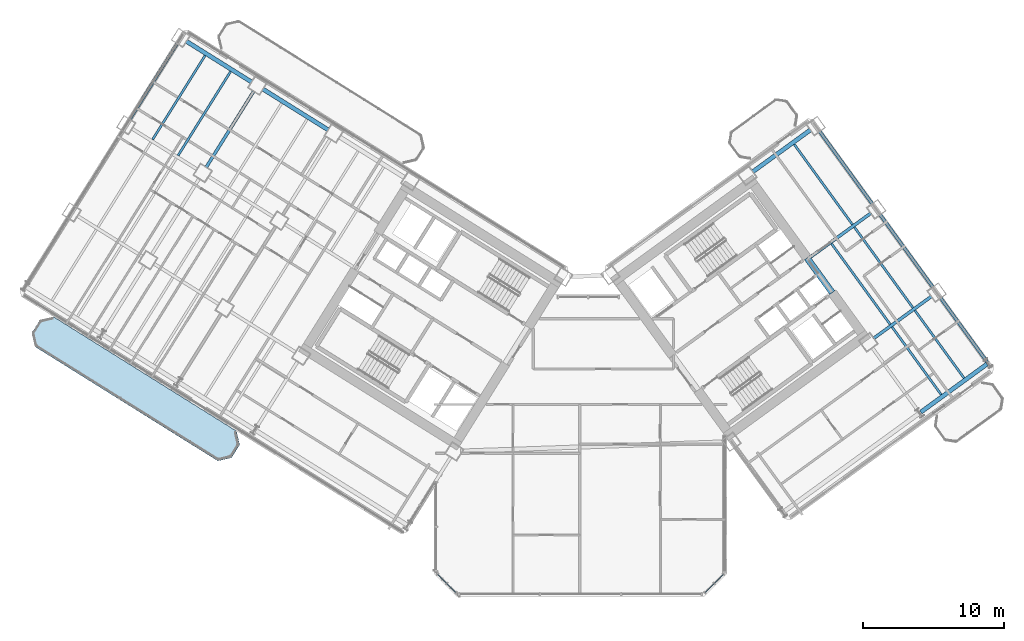
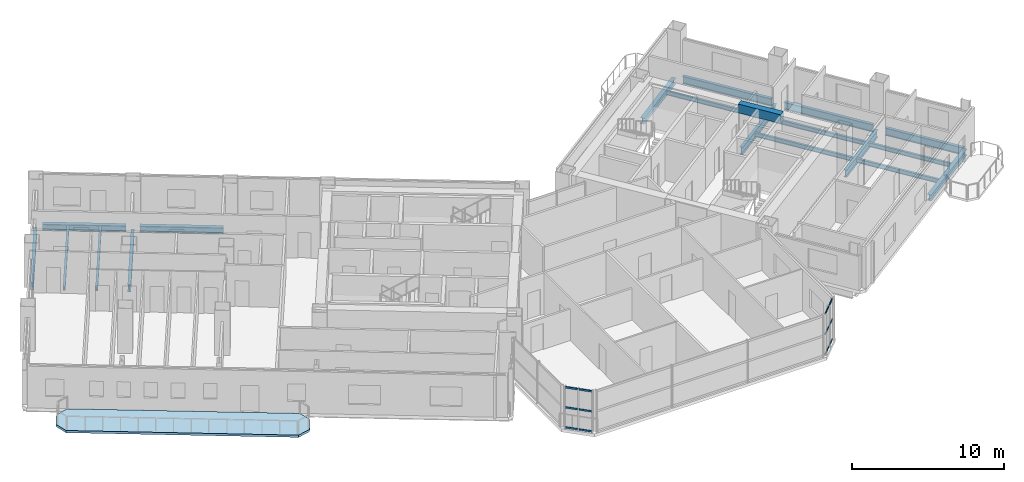
# One storey, part 12 of 28: 19 beams, 12 members, 1 slab, 2 elements without a shape of their own.
"""IFC4 building model written with IfcOpenShell, lengths in metres."""

from ifc_helpers import new_model, si_unit, direction, frame, origin, origin_2d, place, context, subcontext, project, spatial, polyline, rectangle, hollow_rectangle, i_section, outline, extrude, source, transform, mapped, material, layer, layer_set, material_profile, profile_set, type_object, element, aggregate, save


model = new_model("IFC4")

# Units and contexts
model_context = context("Model", 3, precision=1e-05, world=origin(), true_north=direction((0.0, 1.0)))
body_context = subcontext(model_context, "Body", "Model", "MODEL_VIEW")
ifc_project = project(units=[si_unit("LENGTHUNIT", "METRE"), si_unit("AREAUNIT", "SQUARE_METRE"), si_unit("VOLUMEUNIT", "CUBIC_METRE"), si_unit("PLANEANGLEUNIT", "RADIAN"), si_unit("MASSUNIT", "GRAM", prefix="KILO")], contexts=[model_context])

# Site, building, storey
site_placement = place(None, origin())
site = spatial("IfcSite", under=ifc_project, at=site_placement, CompositionType="ELEMENT")
building_placement = place(site_placement, origin())
building = spatial("IfcBuilding", under=site, at=building_placement, Name="Tlacorven Tower", CompositionType="ELEMENT")
storey_placement = place(building_placement, frame((0.0, 0.0, 27.60009765625)))
storey = spatial("IfcBuildingStorey", under=building, at=storey_placement, Name="L06", CompositionType="ELEMENT", Elevation=27.60009765625)

# Beams
ifc_material_1 = material(Name="Concrete C60/75", Category="concrete")
ifc_material_profile_1 = material_profile(ifc_material_1, rectangle(XDim=0.449951171875, YDim=0.699951171875, at=origin_2d()), Name="RC 450X700")
ifc_profile_set_1 = profile_set([ifc_material_profile_1], Name="Concrete C60/75")
beam_type_1 = type_object("IfcBeamType", Name="BM-LNT-700", PredefinedType="LINTEL", material=ifc_profile_set_1)
shared_shape_1 = source(origin(), body_context, "Body", "SweptSolid", [
    extrude(rectangle(XDim=0.449951171875, YDim=0.699951171875, at=origin_2d()), origin(), (0.0, 0.0, 1.0), 3.050048828125),
])
beam_1_placement = place(storey_placement, frame((59.856689453125, 23.345947265625, 3.0), z_axis=(-0.587776590479, 0.80902328748, 0.0), x_axis=(-0.80902328748, -0.587776590479, 0.0)))
element("IfcBeam", 1, at=beam_1_placement, inside=storey, type_object=beam_type_1, Name="L06 E core coupling lintel beam E2", PredefinedType="LINTEL", context=body_context, shape_type="MappedRepresentation", body=[
    mapped(shared_shape_1, transform((0.0, 0.0, 0.0), scale=1.0)),
])
ifc_material_2 = material(Name="Steel S355J2", Category="steel")
ifc_material_profile_2 = material_profile(ifc_material_2, i_section(OverallWidth=0.300048828125, OverallDepth=0.489990234375, WebThickness=0.011962890625, FlangeThickness=0.02294921875, at=origin_2d()), Name="HEA 500")
ifc_profile_set_2 = profile_set([ifc_material_profile_2], Name="Steel S355J2")
beam_type_2 = type_object("IfcBeamType", Name="BM-SPN-500", PredefinedType="SPANDREL", material=ifc_profile_set_2)
shared_shape_2 = source(origin(), body_context, "Body", "SweptSolid", [
    extrude(i_section(OverallWidth=0.300048828125, OverallDepth=0.489990234375, WebThickness=0.011962890625, FlangeThickness=0.02294921875, at=origin_2d()), origin(), (0.0, 0.0, 1.0), 5.5),
])
for number, where, z_axis, x_axis, name in (
    (2, (24.118896484375, 34.88134765625, -0.4951171875), (-0.848050668838, 0.52991514706, 0.0), (-0.52991514706, -0.848050668838, 0.0), "L06 beam BM-L06-WL1-4"),
    (3, (18.69140625, 38.272705078125, -0.4951171875), (-0.848050668838, 0.52991514706, 0.0), (-0.52991514706, -0.848050668838, 0.0), "L06 beam BM-L06-WL1-5"),
):
    element("IfcBeam", number, at=place(storey_placement, frame(where, z_axis=z_axis, x_axis=x_axis)), inside=storey, type_object=beam_type_2, Name=name, PredefinedType="SPANDREL", context=body_context, shape_type="MappedRepresentation", body=[
        mapped(shared_shape_2, transform((0.0, 0.0, 0.0), scale=1.0)),
    ])
ifc_material_profile_3 = material_profile(ifc_material_2, i_section(OverallWidth=0.219970703125, OverallDepth=0.60009765625, WebThickness=0.011962890625, FlangeThickness=0.01904296875, at=origin_2d()), Name="IPE 600")
ifc_profile_set_3 = profile_set([ifc_material_profile_3], Name="Steel S355J2")
beam_type_3 = type_object("IfcBeamType", Name="BM-TWR-600", PredefinedType="BEAM", material=ifc_profile_set_3)
shared_shape_3 = source(origin(), body_context, "Body", "SweptSolid", [
    extrude(i_section(OverallWidth=0.219970703125, OverallDepth=0.60009765625, WebThickness=0.011962890625, FlangeThickness=0.01904296875, at=origin_2d()), origin(), (0.0, 0.0, 1.0), 5.650146484375),
])
beam_2_placement = place(storey_placement, frame((70.853271484375, 18.41845703125, -0.550048828125), z_axis=(-0.587783675561, 0.809018139935, 0.0), x_axis=(-0.809018139935, -0.587783675561, 0.0)))
element("IfcBeam", 4, at=beam_2_placement, inside=storey, type_object=beam_type_3, Name="L06 beam BM-L06-ET4-1", PredefinedType="BEAM", context=body_context, shape_type="MappedRepresentation", body=[
    mapped(shared_shape_3, transform((0.0, 0.0, 0.0), scale=1.0)),
])
shared_shape_4 = source(origin(), body_context, "Body", "SweptSolid", [
    extrude(i_section(OverallWidth=0.219970703125, OverallDepth=0.60009765625, WebThickness=0.011962890625, FlangeThickness=0.01904296875, at=origin_2d()), origin(), (0.0, 0.0, 1.0), 6.39990234375),
])
for number, where, z_axis, x_axis, name in (
    (5, (67.003173828125, 23.717529296875, -0.550048828125), (-0.587772420479, 0.809026317077, 0.0), (-0.809026317077, -0.587772420479, 0.0), "L06 beam BM-L06-ET4-2"),
    (6, (62.71240234375, 29.62353515625, -0.550048828125), (-0.587815528162, 0.808994996803, 0.0), (-0.808994996803, -0.587815528162, 0.0), "L06 beam BM-L06-ET4-3"),
):
    element("IfcBeam", number, at=place(storey_placement, frame(where, z_axis=z_axis, x_axis=x_axis)), inside=storey, type_object=beam_type_3, Name=name, PredefinedType="BEAM", context=body_context, shape_type="MappedRepresentation", body=[
        mapped(shared_shape_4, transform((0.0, 0.0, 0.0), scale=1.0)),
    ])
shared_shape_5 = source(origin(), body_context, "Body", "SweptSolid", [
    extrude(i_section(OverallWidth=0.219970703125, OverallDepth=0.60009765625, WebThickness=0.011962890625, FlangeThickness=0.01904296875, at=origin_2d()), origin(), (0.0, 0.0, 1.0), 6.400146484375),
])
for number, where, z_axis, x_axis, name in (
    (7, (18.83447265625, 37.652587890625, -0.550048828125), (-0.529933789039, -0.848039019877, 0.0), (0.848039019877, -0.529933789039, 0.0), "L06 beam BM-L06-WT5-1"),
    (8, (13.406982421875, 41.044189453125, -0.550048828125), (-0.529933789039, -0.848039019877, 0.0), (0.848039019877, -0.529933789039, 0.0), "L06 beam BM-L06-WT6-1"),
):
    element("IfcBeam", number, at=place(storey_placement, frame(where, z_axis=z_axis, x_axis=x_axis)), inside=storey, type_object=beam_type_3, Name=name, PredefinedType="BEAM", context=body_context, shape_type="MappedRepresentation", body=[
        mapped(shared_shape_5, transform((0.0, 0.0, 0.0), scale=1.0)),
    ])
ifc_material_profile_4 = material_profile(ifc_material_2, i_section(OverallWidth=0.159912109375, OverallDepth=0.330078125, WebThickness=0.007568359375, FlangeThickness=0.011474609375, at=origin_2d()), Name="IPE 330")
ifc_profile_set_4 = profile_set([ifc_material_profile_4], Name="Steel S355J2")
beam_type_4 = type_object("IfcBeamType", Name="BM-JST-330", PredefinedType="JOIST", material=ifc_profile_set_4)
shared_shape_6 = source(origin(), body_context, "Body", "SweptSolid", [
    extrude(i_section(OverallWidth=0.159912109375, OverallDepth=0.330078125, WebThickness=0.007568359375, FlangeThickness=0.011474609375, at=origin_2d()), origin(), (0.0, 0.0, 1.0), 7.030029296875),
])
for number, where, z_axis, x_axis, name in (
    (9, (17.181640625, 39.033447265625, -0.4150390625), (-0.529911532383, -0.848052927504, 0.0), (0.848052927504, -0.529911532383, 0.0), "L06 beam BM-L06-WJ5-1-1"),
    (10, (15.372314453125, 40.163818359375, -0.4150390625), (-0.529927139185, -0.84804317529, 0.0), (0.84804317529, -0.529927139185, 0.0), "L06 beam BM-L06-WJ5-1-2"),
    (11, (61.291259765625, 28.1767578125, -0.4150390625), (-0.587773097846, 0.809025824958, 0.0), (-0.809025824958, -0.587773097846, 0.0), "L06 beam BM-L06-EJ3-3-2"),
):
    element("IfcBeam", number, at=place(storey_placement, frame(where, z_axis=z_axis, x_axis=x_axis)), inside=storey, type_object=beam_type_4, Name=name, PredefinedType="JOIST", context=body_context, shape_type="MappedRepresentation", body=[
        mapped(shared_shape_6, transform((0.0, 0.0, 0.0), scale=1.0)),
    ])
shared_shape_7 = source(origin(), body_context, "Body", "SweptSolid", [
    extrude(i_section(OverallWidth=0.159912109375, OverallDepth=0.330078125, WebThickness=0.007568359375, FlangeThickness=0.011474609375, at=origin_2d()), origin(), (0.0, 0.0, 1.0), 5.93017578125),
])
for number, where, z_axis, x_axis, name in (
    (12, (67.584716796875, 16.11181640625, -0.4150390625), (-0.587777512947, 0.809022617282, 0.0), (-0.809022617282, -0.587777512947, 0.0), "L06 beam BM-L06-EJ3-1-1"),
    (13, (69.202880859375, 17.287353515625, -0.4150390625), (-0.587777512947, 0.809022617282, 0.0), (-0.809022617282, -0.587777512947, 0.0), "L06 beam BM-L06-EJ3-1-2"),
):
    element("IfcBeam", number, at=place(storey_placement, frame(where, z_axis=z_axis, x_axis=x_axis)), inside=storey, type_object=beam_type_4, Name=name, PredefinedType="JOIST", context=body_context, shape_type="MappedRepresentation", body=[
        mapped(shared_shape_7, transform((0.0, 0.0, 0.0), scale=1.0)),
    ])
shared_shape_8 = source(origin(), body_context, "Body", "SweptSolid", [
    extrude(i_section(OverallWidth=0.159912109375, OverallDepth=0.330078125, WebThickness=0.007568359375, FlangeThickness=0.011474609375, at=origin_2d()), origin(), (0.0, 0.0, 1.0), 7.070068359375),
])
beam_3_placement = place(storey_placement, frame((63.964111328125, 21.095458984375, -0.4150390625), z_axis=(-0.587797946309, 0.80900777148, 0.0), x_axis=(-0.80900777148, -0.587797946309, 0.0)))
element("IfcBeam", 14, at=beam_3_placement, inside=storey, type_object=beam_type_4, Name="L06 beam BM-L06-EJ3-2-1", PredefinedType="JOIST", context=body_context, shape_type="MappedRepresentation", body=[
    mapped(shared_shape_8, transform((0.0, 0.0, 0.0), scale=1.0)),
])
shared_shape_9 = source(origin(), body_context, "Body", "SweptSolid", [
    extrude(i_section(OverallWidth=0.159912109375, OverallDepth=0.330078125, WebThickness=0.007568359375, FlangeThickness=0.011474609375, at=origin_2d()), origin(), (0.0, 0.0, 1.0), 7.06982421875),
])
beam_4_placement = place(storey_placement, frame((65.58203125, 22.27099609375, -0.4150390625), z_axis=(-0.58777534487, 0.809024192446, 0.0), x_axis=(-0.809024192446, -0.58777534487, 0.0)))
element("IfcBeam", 15, at=beam_4_placement, inside=storey, type_object=beam_type_4, Name="L06 beam BM-L06-EJ3-2-2", PredefinedType="JOIST", context=body_context, shape_type="MappedRepresentation", body=[
    mapped(shared_shape_9, transform((0.0, 0.0, 0.0), scale=1.0)),
])
shared_shape_10 = source(origin(), body_context, "Body", "SweptSolid", [
    extrude(i_section(OverallWidth=0.300048828125, OverallDepth=0.489990234375, WebThickness=0.011962890625, FlangeThickness=0.02294921875, at=origin_2d()), origin(), (0.0, 0.0, 1.0), 5.800048828125),
])
beam_5_placement = place(storey_placement, frame((66.138671875, 14.86962890625, -0.4951171875), z_axis=(0.809019944521, 0.587781191743, 0.0), x_axis=(-0.587781191743, 0.809019944521, 0.0)))
element("IfcBeam", 16, at=beam_5_placement, inside=storey, type_object=beam_type_2, Name="L06 beam BM-L06-EL1-3", PredefinedType="SPANDREL", context=body_context, shape_type="MappedRepresentation", body=[
    mapped(shared_shape_10, transform((0.0, 0.0, 0.0), scale=1.0)),
])
shared_shape_11 = source(origin(), body_context, "Body", "SweptSolid", [
    extrude(i_section(OverallWidth=0.219970703125, OverallDepth=0.60009765625, WebThickness=0.011962890625, FlangeThickness=0.01904296875, at=origin_2d()), origin(), (0.0, 0.0, 1.0), 5.10009765625),
])
beam_6_placement = place(storey_placement, frame((62.777587890625, 20.09130859375, -0.550048828125), z_axis=(0.809007176828, 0.58779876475, 0.0), x_axis=(-0.58779876475, 0.809007176828, 0.0)))
element("IfcBeam", 17, at=beam_6_placement, inside=storey, type_object=beam_type_3, Name="L06 beam BM-L06-EL2-3", PredefinedType="BEAM", context=body_context, shape_type="MappedRepresentation", body=[
    mapped(shared_shape_11, transform((0.0, 0.0, 0.0), scale=1.0)),
])
shared_shape_12 = source(origin(), body_context, "Body", "SweptSolid", [
    extrude(i_section(OverallWidth=0.219970703125, OverallDepth=0.60009765625, WebThickness=0.011962890625, FlangeThickness=0.01904296875, at=origin_2d()), origin(), (0.0, 0.0, 1.0), 5.510009765625),
])
beam_7_placement = place(storey_placement, frame((58.155029296875, 25.756103515625, -0.550048828125), z_axis=(0.809015730594, 0.587786991734, 0.0), x_axis=(-0.587786991734, 0.809015730594, 0.0)))
element("IfcBeam", 18, at=beam_7_placement, inside=storey, type_object=beam_type_3, Name="L06 beam BM-L06-EL3-3", PredefinedType="BEAM", context=body_context, shape_type="MappedRepresentation", body=[
    mapped(shared_shape_12, transform((0.0, 0.0, 0.0), scale=1.0)),
])
shared_shape_13 = source(origin(), body_context, "Body", "SweptSolid", [
    extrude(i_section(OverallWidth=0.300048828125, OverallDepth=0.489990234375, WebThickness=0.011962890625, FlangeThickness=0.02294921875, at=origin_2d()), origin(), (0.0, 0.0, 1.0), 5.099853515625),
])
beam_8_placement = place(storey_placement, frame((54.196044921875, 31.903076171875, -0.4951171875), z_axis=(0.809029940764, 0.587767432704, 0.0), x_axis=(-0.587767432704, 0.809029940764, 0.0)))
element("IfcBeam", 19, at=beam_8_placement, inside=storey, type_object=beam_type_2, Name="L06 beam BM-L06-EL4-3", PredefinedType="SPANDREL", context=body_context, shape_type="MappedRepresentation", body=[
    mapped(shared_shape_13, transform((0.0, 0.0, 0.0), scale=1.0)),
])

# Curtain wall, members
ifc_material_3 = material(Name="Dark solar low-E double glazing in aluminium frame", Category="aluminium")
curtain_wall_type = type_object("IfcCurtainWallType", Name="CW-TWR-LOW", PredefinedType="USERDEFINED", material=ifc_material_3)
curtain_wall_1_placement = place(storey_placement, origin())
curtain_wall_1 = element("IfcCurtainWall", 20, at=curtain_wall_1_placement, inside=storey, type_object=curtain_wall_type, Name="L06 CW-TWR-LOW Curtain Wall 27", ObjectType="UNITISED CURTAIN WALL", PredefinedType="USERDEFINED")
ifc_material_4 = material(Name="Aluminium 6063-T6 anodised", Category="aluminium")
ifc_material_profile_5 = material_profile(ifc_material_4, hollow_rectangle(XDim=0.06005859375, YDim=0.139892578125, WallThickness=0.00390625, at=origin_2d()), Name="ALU TRANSOM 60X140")
ifc_profile_set_5 = profile_set([ifc_material_profile_5], Name="Aluminium 6063-T6 anodised")
member_type = type_object("IfcMemberType", Name="CWT-02", PredefinedType="USERDEFINED", material=ifc_profile_set_5)
shared_shape_14 = source(origin(), body_context, "Body", "SweptSolid", [
    extrude(hollow_rectangle(XDim=0.06005859375, YDim=0.139892578125, WallThickness=0.00390625, at=origin_2d()), origin(), (0.0, 0.0, 1.0), 0.8837890625),
])
member_1_placement = place(storey_placement, frame((52.128173828125, 3.3544921875, 0.06982421875), z_axis=(-0.707106781187, -0.707106781187, 0.0), x_axis=(0.707106781187, -0.707106781187, 0.0)))
member_1 = element("IfcMember", 21, at=member_1_placement, type_object=member_type, Name="CW-L06-027 Transom 1", ObjectType="TRANSOM", PredefinedType="USERDEFINED", context=body_context, shape_type="MappedRepresentation", body=[
    mapped(shared_shape_14, transform((0.0, 0.0, 0.0), scale=1.0)),
])
member_2_placement = place(storey_placement, frame((52.128173828125, 3.3544921875, 1.6748046875), z_axis=(-0.707106781187, -0.707106781187, 0.0), x_axis=(0.707106781187, -0.707106781187, 0.0)))
member_2 = element("IfcMember", 22, at=member_2_placement, type_object=member_type, Name="CW-L06-027 Transom 2", ObjectType="TRANSOM", PredefinedType="USERDEFINED", context=body_context, shape_type="MappedRepresentation", body=[
    mapped(shared_shape_14, transform((0.0, 0.0, 0.0), scale=1.0)),
])
member_3_placement = place(storey_placement, frame((52.128173828125, 3.3544921875, 3.27978515625), z_axis=(-0.707106781187, -0.707106781187, 0.0), x_axis=(0.707106781187, -0.707106781187, 0.0)))
member_3 = element("IfcMember", 23, at=member_3_placement, type_object=member_type, Name="CW-L06-027 Transom 3", ObjectType="TRANSOM", PredefinedType="USERDEFINED", context=body_context, shape_type="MappedRepresentation", body=[
    mapped(shared_shape_14, transform((0.0, 0.0, 0.0), scale=1.0)),
])

curtain_wall_2_placement = place(storey_placement, origin())
curtain_wall_2 = element("IfcCurtainWall", 24, at=curtain_wall_2_placement, inside=storey, type_object=curtain_wall_type, Name="L06 CW-TWR-LOW Curtain Wall 29", ObjectType="UNITISED CURTAIN WALL", PredefinedType="USERDEFINED")
member_4_placement = place(storey_placement, frame((32.496826171875, 2.7294921875, 0.06982421875), z_axis=(-0.707106781187, 0.707106781187, 0.0), x_axis=(-0.707106781187, -0.707106781187, 0.0)))
member_4 = element("IfcMember", 25, at=member_4_placement, type_object=member_type, Name="CW-L06-029 Transom 4", ObjectType="TRANSOM", PredefinedType="USERDEFINED", context=body_context, shape_type="MappedRepresentation", body=[
    mapped(shared_shape_14, transform((0.0, 0.0, 0.0), scale=1.0)),
])
member_5_placement = place(storey_placement, frame((32.496826171875, 2.7294921875, 1.6748046875), z_axis=(-0.707106781187, 0.707106781187, 0.0), x_axis=(-0.707106781187, -0.707106781187, 0.0)))
member_5 = element("IfcMember", 26, at=member_5_placement, type_object=member_type, Name="CW-L06-029 Transom 5", ObjectType="TRANSOM", PredefinedType="USERDEFINED", context=body_context, shape_type="MappedRepresentation", body=[
    mapped(shared_shape_14, transform((0.0, 0.0, 0.0), scale=1.0)),
])
member_6_placement = place(storey_placement, frame((32.496826171875, 2.7294921875, 3.27978515625), z_axis=(-0.707106781187, 0.707106781187, 0.0), x_axis=(-0.707106781187, -0.707106781187, 0.0)))
member_6 = element("IfcMember", 27, at=member_6_placement, type_object=member_type, Name="CW-L06-029 Transom 6", ObjectType="TRANSOM", PredefinedType="USERDEFINED", context=body_context, shape_type="MappedRepresentation", body=[
    mapped(shared_shape_14, transform((0.0, 0.0, 0.0), scale=1.0)),
])

# Member
shared_shape_15 = source(origin(), body_context, "Body", "SweptSolid", [
    extrude(hollow_rectangle(XDim=0.06005859375, YDim=0.139892578125, WallThickness=0.00390625, at=origin_2d()), origin(), (0.0, 0.0, 1.0), 0.884033203125),
])
member_7_placement = place(storey_placement, frame((51.470703125, 2.69677734375, 0.06982421875), z_axis=(-0.707244847527, -0.706968687883, 0.0), x_axis=(0.706968687883, -0.707244847527, 0.0)))
member_7 = element("IfcMember", 28, at=member_7_placement, type_object=member_type, Name="CW-L06-027 Transom 4", ObjectType="TRANSOM", PredefinedType="USERDEFINED", context=body_context, shape_type="MappedRepresentation", body=[
    mapped(shared_shape_15, transform((0.0, 0.0, 0.0), scale=1.0)),
])

member_8_placement = place(storey_placement, frame((51.470703125, 2.69677734375, 1.6748046875), z_axis=(-0.707244847527, -0.706968687883, 0.0), x_axis=(0.706968687883, -0.707244847527, 0.0)))
member_8 = element("IfcMember", 29, at=member_8_placement, type_object=member_type, Name="CW-L06-027 Transom 5", ObjectType="TRANSOM", PredefinedType="USERDEFINED", context=body_context, shape_type="MappedRepresentation", body=[
    mapped(shared_shape_15, transform((0.0, 0.0, 0.0), scale=1.0)),
])

member_9_placement = place(storey_placement, frame((51.470703125, 2.69677734375, 3.27978515625), z_axis=(-0.707244847527, -0.706968687883, 0.0), x_axis=(0.706968687883, -0.707244847527, 0.0)))
member_9 = element("IfcMember", 30, at=member_9_placement, type_object=member_type, Name="CW-L06-027 Transom 6", ObjectType="TRANSOM", PredefinedType="USERDEFINED", context=body_context, shape_type="MappedRepresentation", body=[
    mapped(shared_shape_15, transform((0.0, 0.0, 0.0), scale=1.0)),
])

aggregate(curtain_wall_1, [member_1, member_2, member_3, member_7, member_8, member_9])

member_10_placement = place(storey_placement, frame((33.154541015625, 2.07177734375, 0.06982421875), z_axis=(-0.707244847527, 0.706968687883, 0.0), x_axis=(-0.706968687883, -0.707244847527, 0.0)))
member_10 = element("IfcMember", 31, at=member_10_placement, type_object=member_type, Name="CW-L06-029 Transom 1", ObjectType="TRANSOM", PredefinedType="USERDEFINED", context=body_context, shape_type="MappedRepresentation", body=[
    mapped(shared_shape_15, transform((0.0, 0.0, 0.0), scale=1.0)),
])

member_11_placement = place(storey_placement, frame((33.154541015625, 2.07177734375, 1.6748046875), z_axis=(-0.707244847527, 0.706968687883, 0.0), x_axis=(-0.706968687883, -0.707244847527, 0.0)))
member_11 = element("IfcMember", 32, at=member_11_placement, type_object=member_type, Name="CW-L06-029 Transom 2", ObjectType="TRANSOM", PredefinedType="USERDEFINED", context=body_context, shape_type="MappedRepresentation", body=[
    mapped(shared_shape_15, transform((0.0, 0.0, 0.0), scale=1.0)),
])

member_12_placement = place(storey_placement, frame((33.154541015625, 2.07177734375, 3.27978515625), z_axis=(-0.707244847527, 0.706968687883, 0.0), x_axis=(-0.706968687883, -0.707244847527, 0.0)))
member_12 = element("IfcMember", 33, at=member_12_placement, type_object=member_type, Name="CW-L06-029 Transom 3", ObjectType="TRANSOM", PredefinedType="USERDEFINED", context=body_context, shape_type="MappedRepresentation", body=[
    mapped(shared_shape_15, transform((0.0, 0.0, 0.0), scale=1.0)),
])

aggregate(curtain_wall_2, [member_10, member_11, member_12, member_4, member_5, member_6])

# Slab
ifc_material_5 = material(Name="Precast concrete C45/55", Category="concrete")
ifc_layer = layer(ifc_material_5, 0.179931640625)
ifc_layer_set = layer_set([ifc_layer], Name="Precast concrete C45/55")
slab_type = type_object("IfcSlabType", Name="SL-BAL-180", PredefinedType="USERDEFINED", material=ifc_layer_set)
slab_placement = place(storey_placement, frame((0.0, 0.0, -0.18017578125)))
element("IfcSlab", 34, at=slab_placement, inside=storey, type_object=slab_type, Name="L06 West Wing Balcony Ribbon OUT", ObjectType="BALCONY SLAB", PredefinedType="USERDEFINED", context=body_context, shape_type="SweptSolid", body=[
    extrude(outline(polyline([(17.601318359375, 13.52490234375), (4.626220703125, 21.632568359375), (3.66162109375, 21.409912109375), (3.081298828125, 20.4814453125), (3.303955078125, 19.516845703125), (16.279052734375, 11.408935546875), (17.24365234375, 11.6318359375), (17.823974609375, 12.560302734375), (17.601318359375, 13.52490234375)])), origin(), (0.0, 0.0, 1.0), 0.18017578125),
])

save(model, "model.ifc")
